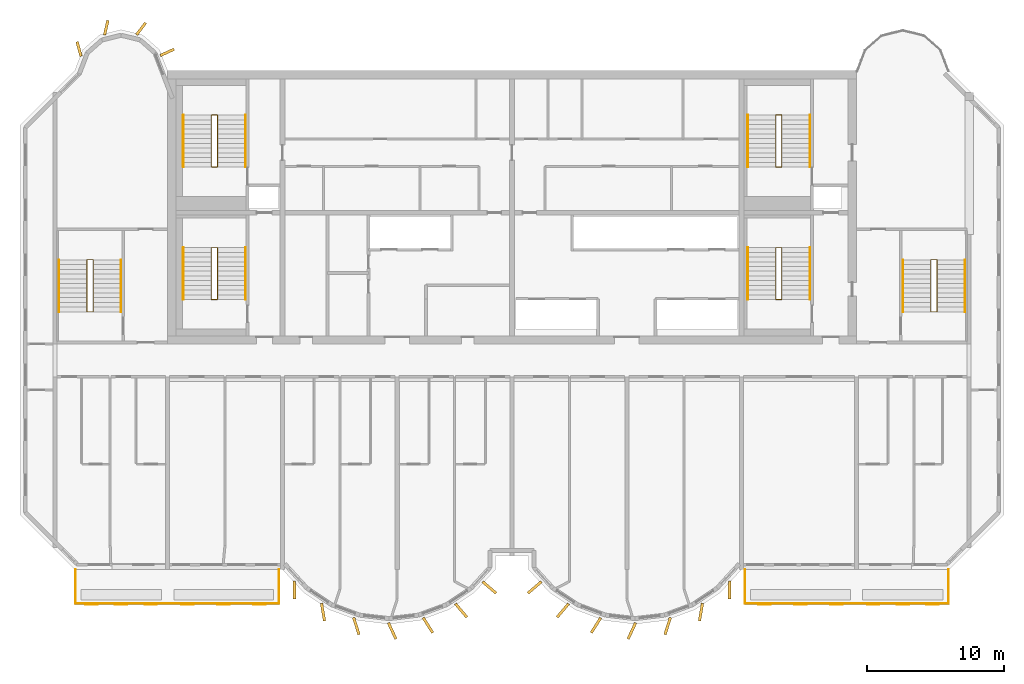
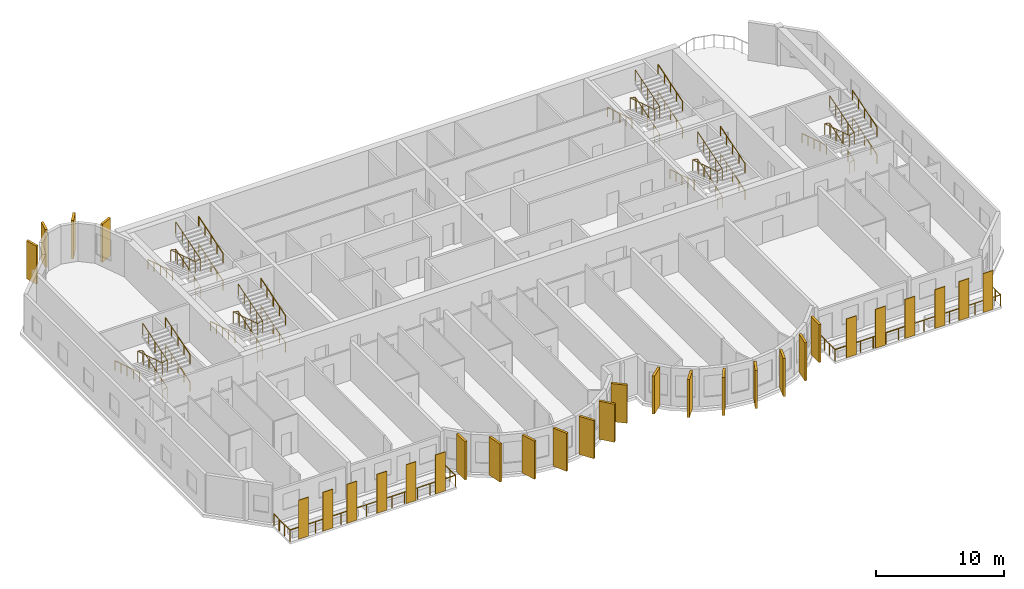
# One storey, part 10 of 12: 30 coverings, 26 railings.
"""IFC4 building model written with IfcOpenShell, lengths in metres."""

import ifcopenshell
import ifcopenshell.guid

model = None  # the IFC model being written
_history = None  # IfcOwnerHistory: only IFC2X3 demands one
_inside = {}  # id of a spatial element -> (the spatial element, [elements in it])
_under = {}  # id of a project, library or spatial element -> (it, [spatial elements below it])
_declared = {}  # id of a project -> (the project, [libraries it declares])
_typed = {}  # id of a type object -> (the type object, [elements of that type])
_made_of = {}  # id of a material, layer set ... -> (it, [elements and type objects made of it])


def new_model(schema):
    """Start an empty IFC model of exactly this schema.

    Asked for "IFC4X3", IfcOpenShell would pick the latest addendum, in which some entities
    have other attributes; the version numbers below select the first issue.
    IFC2X3 requires an IfcOwnerHistory on every rooted entity: one is made here for all.
    """
    global model, _history
    if schema == "IFC4X3":
        model = ifcopenshell.file(schema_version=(4, 3, 0, 0))
    else:
        model = ifcopenshell.file(schema=schema)
    _inside.clear()
    _under.clear()
    _declared.clear()
    _typed.clear()
    _made_of.clear()
    _history = None
    if model.schema == "IFC2X3":
        org = make("IfcOrganization", Name="unknown")
        user = make(
            "IfcPersonAndOrganization",
            ThePerson=make("IfcPerson", FamilyName="unknown"),
            TheOrganization=org,
        )
        app = make(
            "IfcApplication",
            ApplicationDeveloper=org,
            Version="unknown",
            ApplicationFullName="unknown",
            ApplicationIdentifier="unknown",
        )
        _history = make(
            "IfcOwnerHistory",
            OwningUser=user,
            OwningApplication=app,
            ChangeAction="ADDED",
            CreationDate=0,
        )
    return model


def make(cls, **values):
    """One entity of the class cls with the attributes given. An attribute that is None is left unset."""
    return model.create_entity(
        cls, **{name: value for name, value in values.items() if value is not None}
    )


def rooted(cls, **values):
    """An entity with a GlobalId (a new one), such as an element, a storey or a relation."""
    return make(cls, GlobalId=ifcopenshell.guid.new(), OwnerHistory=_history, **values)


def si_unit(unit_type, name, prefix=None):
    """IfcSIUnit, for example si_unit("LENGTHUNIT", "METRE", prefix="MILLI")."""
    return make("IfcSIUnit", UnitType=unit_type, Prefix=prefix, Name=name)


def assignment(units):
    """IfcUnitAssignment: the units of a project."""
    return None if units is None else make("IfcUnitAssignment", Units=units)


def point(xyz):
    """IfcCartesianPoint."""
    return None if xyz is None else make("IfcCartesianPoint", Coordinates=xyz)


def direction(xyz):
    """IfcDirection."""
    return None if xyz is None else make("IfcDirection", DirectionRatios=xyz)


def frame(location, z_axis=None, x_axis=None):
    """IfcAxis2Placement3D, a coordinate frame: its origin and axes. An axis left out is left unset."""
    return make(
        "IfcAxis2Placement3D",
        Location=point(location),
        Axis=direction(z_axis),
        RefDirection=direction(x_axis),
    )


def frame_2d(location, x_axis=None):
    """IfcAxis2Placement2D, a coordinate frame in the plane: its origin and x axis."""
    return make(
        "IfcAxis2Placement2D", Location=point(location), RefDirection=direction(x_axis)
    )


def origin():
    """The frame at (0, 0, 0) with its axes left unset."""
    return frame((0.0, 0.0, 0.0))


def origin_2d():
    """The frame at (0, 0) in the plane with its x axis left unset."""
    return frame_2d((0.0, 0.0))


def place(relative_to, where):
    """IfcLocalPlacement: puts the frame where relative to a parent placement (None: the world)."""
    return make(
        "IfcLocalPlacement", PlacementRelTo=relative_to, RelativePlacement=where
    )


def context(
    kind, dimensions, precision=None, world=None, true_north=None, identifier=None
):
    """IfcGeometricRepresentationContext, for example the 3D "Model" context."""
    return make(
        "IfcGeometricRepresentationContext",
        ContextIdentifier=identifier,
        ContextType=kind,
        CoordinateSpaceDimension=dimensions,
        Precision=precision,
        WorldCoordinateSystem=world,
        TrueNorth=true_north,
    )


def subcontext(parent, identifier, kind, view, scale=None):
    """IfcGeometricRepresentationSubContext, for example "Body" below "Model"."""
    return make(
        "IfcGeometricRepresentationSubContext",
        ContextIdentifier=identifier,
        ContextType=kind,
        ParentContext=parent,
        TargetScale=scale,
        TargetView=view,
    )


def project(units=None, contexts=None):
    """IfcProject with its units and contexts."""
    return rooted(
        "IfcProject",
        Name="project",
        RepresentationContexts=contexts,
        UnitsInContext=assignment(units),
    )


def spatial(cls, under=None, at=None, **own):
    """A site, building, storey or space (cls), placed at a placement, below another one or the project."""
    s = rooted(cls, ObjectPlacement=at, **own)
    if under is not None:
        _under.setdefault(under.id(), (under, []))[1].append(s)
    return s


def profile(cls, at=None, kind="AREA", **sizes):
    """A parametric profile (cls). Its sizes go by their IFC names, for example OverallWidth=200.0."""
    return make(cls, ProfileType=kind, Position=at, **sizes)


def rectangle(**sizes):
    """IfcRectangleProfileDef."""
    return profile("IfcRectangleProfileDef", **sizes)


def circle(**sizes):
    """IfcCircleProfileDef."""
    return profile("IfcCircleProfileDef", **sizes)


def extrude(swept, where, along, depth):
    """IfcExtrudedAreaSolid: the profile swept, set in the frame where, extruded along a direction by depth."""
    return make(
        "IfcExtrudedAreaSolid",
        SweptArea=swept,
        Position=where,
        ExtrudedDirection=direction(along),
        Depth=depth,
    )


def shape(context_of_items, identifier, shape_type, items):
    """IfcShapeRepresentation: the items that make up one representation, for example the "Body"."""
    return make(
        "IfcShapeRepresentation",
        ContextOfItems=context_of_items,
        RepresentationIdentifier=identifier,
        RepresentationType=shape_type,
        Items=items,
    )


def source(mapping_origin, context_of_items, identifier, shape_type, items):
    """IfcRepresentationMap: a shape defined once, which mapped items show again and again."""
    return make(
        "IfcRepresentationMap",
        MappingOrigin=mapping_origin,
        MappedRepresentation=shape(context_of_items, identifier, shape_type, items),
    )


def transform(
    local_origin,
    x_axis=None,
    y_axis=None,
    z_axis=None,
    scale=None,
    scale2=None,
    scale3=None,
    uniform=True,
):
    """IfcCartesianTransformationOperator3D, or its non-uniform kind. x_axis, y_axis, z_axis: its Axis1, 2, 3."""
    if uniform:
        return make(
            "IfcCartesianTransformationOperator3D",
            Axis1=direction(x_axis),
            Axis2=direction(y_axis),
            LocalOrigin=point(local_origin),
            Scale=scale,
            Axis3=direction(z_axis),
        )
    return make(
        "IfcCartesianTransformationOperator3DnonUniform",
        Axis1=direction(x_axis),
        Axis2=direction(y_axis),
        LocalOrigin=point(local_origin),
        Scale=scale,
        Axis3=direction(z_axis),
        Scale2=scale2,
        Scale3=scale3,
    )


def mapped(mapping_source, mapping_target):
    """IfcMappedItem: shows the shape of a source again, moved by a transform."""
    return make(
        "IfcMappedItem", MappingSource=mapping_source, MappingTarget=mapping_target
    )


def material(Name=None, Category=None):
    """IfcMaterial."""
    return make("IfcMaterial", Name=Name, Category=Category)


def layer(
    of_material, thickness, ventilated=None, Name=None, Category=None, Priority=None
):
    """IfcMaterialLayer: one layer of a wall or slab, of a material (None: an air gap)."""
    return make(
        "IfcMaterialLayer",
        Material=of_material,
        LayerThickness=thickness,
        IsVentilated=ventilated,
        Name=Name,
        Category=Category,
        Priority=Priority,
    )


def layer_set(layers, Name=None):
    """IfcMaterialLayerSet."""
    return make("IfcMaterialLayerSet", MaterialLayers=layers, LayerSetName=Name)


def material_profile(
    of_material, cross_section, Name=None, Category=None, Priority=None
):
    """IfcMaterialProfile: a cross section and its material."""
    return make(
        "IfcMaterialProfile",
        Name=Name,
        Material=of_material,
        Profile=cross_section,
        Priority=Priority,
        Category=Category,
    )


def profile_set(profiles, Name=None, composite=None):
    """IfcMaterialProfileSet."""
    return make(
        "IfcMaterialProfileSet",
        Name=Name,
        MaterialProfiles=profiles,
        CompositeProfile=composite,
    )


def made_of(thing, what):
    """Note that an element or type object is made of a material, layer set ...; save() writes the relation."""
    if what is not None:
        _made_of.setdefault(what.id(), (what, []))[1].append(thing)
    return thing


def type_object(cls, material=None, **own):
    """A type object (cls), such as IfcWallType, which elements share."""
    return made_of(rooted(cls, **own), material)


def element(
    cls,
    number,
    at=None,
    inside=None,
    cuts=None,
    type_object=None,
    material=None,
    context=None,
    identifier="Body",
    shape_type=None,
    held_by="IfcProductDefinitionShape",
    body=None,
    shapes=None,
    **own,
):
    """One element of the class cls, such as IfcWall. Its Tag is "e" and its number.

    at: its placement. inside: the storey or other place that contains it. cuts: it is an
    opening in that element (IfcRelVoidsElement). A single representation is given by context,
    identifier, shape_type and body (its items); several are given by shapes. held_by: the class
    of the entity that holds the representations. save() writes the other relations.
    """
    e = rooted(cls, Tag="e%d" % number, ObjectPlacement=at, **own)
    if body is not None:
        shapes = [shape(context, identifier, shape_type, body)]
    if shapes is not None:
        e.Representation = make(held_by, Representations=shapes)
    if inside is not None:
        _inside.setdefault(inside.id(), (inside, []))[1].append(e)
    if cuts is not None:
        rooted(
            "IfcRelVoidsElement", RelatingBuildingElement=cuts, RelatedOpeningElement=e
        )
    if type_object is not None:
        _typed.setdefault(type_object.id(), (type_object, []))[1].append(e)
    return made_of(e, material)


def aggregate(whole, parts):
    """IfcRelAggregates: a whole, such as a stair, and the parts it consists of."""
    return rooted("IfcRelAggregates", RelatingObject=whole, RelatedObjects=parts)


def save(model, path):
    """Write the relations noted so far, then the file.

    IfcRelAggregates (storeys below a building ...), IfcRelContainedInSpatialStructure (elements
    in a storey), IfcRelDefinesByType, IfcRelAssociatesMaterial and IfcRelDeclares: one each for
    every whole, place, type object, material and project.
    """
    for whole, parts in _under.values():
        aggregate(whole, parts)
    for where, things in _inside.values():
        rooted(
            "IfcRelContainedInSpatialStructure",
            RelatedElements=things,
            RelatingStructure=where,
        )
    for kind, things in _typed.values():
        rooted("IfcRelDefinesByType", RelatedObjects=things, RelatingType=kind)
    for what, things in _made_of.values():
        rooted("IfcRelAssociatesMaterial", RelatedObjects=things, RelatingMaterial=what)
    for by, libraries in _declared.values():
        rooted("IfcRelDeclares", RelatingContext=by, RelatedDefinitions=libraries)
    model.write(path)


model = new_model("IFC4")

# Units and contexts
model_context = context("Model", 3, precision=1e-05, world=origin(), true_north=direction((0.0, 1.0)))
body_context = subcontext(model_context, "Body", "Model", "MODEL_VIEW")
ifc_project = project(units=[si_unit("LENGTHUNIT", "METRE"), si_unit("AREAUNIT", "SQUARE_METRE"), si_unit("VOLUMEUNIT", "CUBIC_METRE"), si_unit("PLANEANGLEUNIT", "RADIAN"), si_unit("MASSUNIT", "GRAM", prefix="KILO")], contexts=[model_context])

# Site, building, storey
site_placement = place(None, origin())
site = spatial("IfcSite", under=ifc_project, at=site_placement, CompositionType="ELEMENT")
building_placement = place(site_placement, origin())
building = spatial("IfcBuilding", under=site, at=building_placement, Name="Vanashikhar Sky Hotel", CompositionType="ELEMENT")
storey_placement = place(building_placement, frame((0.0, 0.0, 237.39990234375)))
storey = spatial("IfcBuildingStorey", under=building, at=storey_placement, Name="L57", CompositionType="ELEMENT", Elevation=237.39990234375)

# Railings
ifc_material_1 = material(Name="Stainless steel 316", Category="steel")
railing_type_1 = type_object("IfcRailingType", Name="Balcony guard 1100", PredefinedType="GUARDRAIL", material=ifc_material_1)
shared_shape_1 = source(origin(), body_context, "Body", "SweptSolid", [
    extrude(circle(Radius=0.02392578125, at=origin_2d()), frame((0.0, 0.0, 1.076171875), z_axis=(0.0, -1.0, 0.0), x_axis=(1.0, 0.0, 0.0)), (0.0, 0.0, 1.0), 2.5),
    extrude(circle(Radius=0.02392578125, at=origin_2d()), frame((0.0, -2.5, 1.076171875), z_axis=(1.0, 0.0, 0.0), x_axis=(0.0, 1.0, 0.0)), (0.0, 0.0, 1.0), 14.880126953125),
    extrude(circle(Radius=0.02392578125, at=origin_2d()), frame((14.880126953125, -2.5, 1.076171875), z_axis=(0.0, 1.0, 0.0), x_axis=(-1.0, 0.0, 0.0)), (0.0, 0.0, 1.0), 2.5),
    extrude(circle(Radius=0.02099609375, at=origin_2d()), origin(), (0.0, 0.0, 1.0), 1.052001953125),
    extrude(circle(Radius=0.02099609375, at=origin_2d()), frame((0.0, -0.833251953125, 0.0)), (0.0, 0.0, 1.0), 1.052001953125),
    extrude(circle(Radius=0.02099609375, at=origin_2d()), frame((0.0, -1.666748046875, 0.0)), (0.0, 0.0, 1.0), 1.052001953125),
    extrude(circle(Radius=0.02099609375, at=origin_2d()), frame((0.0, -2.5, 0.0)), (0.0, 0.0, 1.0), 1.052001953125),
    extrude(circle(Radius=0.02099609375, at=origin_2d()), frame((1.14453125, -2.5, 0.0)), (0.0, 0.0, 1.0), 1.052001953125),
    extrude(circle(Radius=0.02099609375, at=origin_2d()), frame((2.289306640625, -2.5, 0.0)), (0.0, 0.0, 1.0), 1.052001953125),
    extrude(circle(Radius=0.02099609375, at=origin_2d()), frame((3.433837890625, -2.5, 0.0)), (0.0, 0.0, 1.0), 1.052001953125),
    extrude(circle(Radius=0.02099609375, at=origin_2d()), frame((4.57861328125, -2.5, 0.0)), (0.0, 0.0, 1.0), 1.052001953125),
    extrude(circle(Radius=0.02099609375, at=origin_2d()), frame((5.72314453125, -2.5, 0.0)), (0.0, 0.0, 1.0), 1.052001953125),
    extrude(circle(Radius=0.02099609375, at=origin_2d()), frame((6.86767578125, -2.5, 0.0)), (0.0, 0.0, 1.0), 1.052001953125),
    extrude(circle(Radius=0.02099609375, at=origin_2d()), frame((8.012451171875, -2.5, 0.0)), (0.0, 0.0, 1.0), 1.052001953125),
    extrude(circle(Radius=0.02099609375, at=origin_2d()), frame((9.156982421875, -2.5, 0.0)), (0.0, 0.0, 1.0), 1.052001953125),
    extrude(circle(Radius=0.02099609375, at=origin_2d()), frame((10.301513671875, -2.5, 0.0)), (0.0, 0.0, 1.0), 1.052001953125),
    extrude(circle(Radius=0.02099609375, at=origin_2d()), frame((11.4462890625, -2.5, 0.0)), (0.0, 0.0, 1.0), 1.052001953125),
    extrude(circle(Radius=0.02099609375, at=origin_2d()), frame((12.5908203125, -2.5, 0.0)), (0.0, 0.0, 1.0), 1.052001953125),
    extrude(circle(Radius=0.02099609375, at=origin_2d()), frame((13.735595703125, -2.5, 0.0)), (0.0, 0.0, 1.0), 1.052001953125),
    extrude(circle(Radius=0.02099609375, at=origin_2d()), frame((14.880126953125, -2.5, 0.0)), (0.0, 0.0, 1.0), 1.052001953125),
    extrude(circle(Radius=0.02099609375, at=origin_2d()), frame((14.880126953125, -1.666748046875, 0.0)), (0.0, 0.0, 1.0), 1.052001953125),
    extrude(circle(Radius=0.02099609375, at=origin_2d()), frame((14.880126953125, -0.833251953125, 0.0)), (0.0, 0.0, 1.0), 1.052001953125),
    extrude(circle(Radius=0.02099609375, at=origin_2d()), frame((14.880126953125, 0.0, 0.0)), (0.0, 0.0, 1.0), 1.052001953125),
])
for number, where, name in (
    (1, (18.4599609375, 5.5, -0.0498046875), "Balcony guard"),
    (2, (67.4599609375, 5.5, -0.0498046875), "Balcony guard"),
):
    element("IfcRailing", number, at=place(storey_placement, frame(where)), inside=storey, type_object=railing_type_1, Name=name, PredefinedType="GUARDRAIL", context=body_context, shape_type="MappedRepresentation", body=[
        mapped(shared_shape_1, transform((0.0, 0.0, 0.0), scale=1.0)),
    ])

# Coverings
ifc_material_2 = material(Name="Terracotta", Category="masonry")
ifc_layer = layer(ifc_material_2, 0.06005859375)
ifc_layer_set = layer_set([ifc_layer], Name="Terracotta baguette screen")
covering_type_1 = type_object("IfcCoveringType", Name="Terracotta baguette screen", PredefinedType="CLADDING", material=ifc_layer_set)
shared_shape_2 = source(origin(), body_context, "Body", "SweptSolid", [
    extrude(rectangle(XDim=0.89990234375, YDim=0.06005859375, at=origin_2d()), origin(), (0.0, 0.0, 1.0), 3.699951171875),
])
for number, where, z_axis, x_axis, name in (
    (3, (19.63330078125, 2.929931640625, -0.0498046875), (0.0, 0.0, 1.0), (1.0, 0.0, 0.0), "Terracotta screen"),
    (4, (21.800048828125, 2.929931640625, -0.0498046875), (0.0, 0.0, 1.0), (1.0, 0.0, 0.0), "Terracotta screen"),
    (5, (23.966796875, 2.929931640625, -0.0498046875), (0.0, 0.0, 1.0), (1.0, 0.0, 0.0), "Terracotta screen"),
    (6, (26.666748046875, 2.929931640625, -0.0498046875), (0.0, 0.0, 1.0), (1.0, 0.0, 0.0), "Terracotta screen"),
    (7, (29.300048828125, 2.929931640625, -0.0498046875), (0.0, 0.0, 1.0), (1.0, 0.0, 0.0), "Terracotta screen"),
    (8, (31.933349609375, 2.929931640625, -0.0498046875), (0.0, 0.0, 1.0), (1.0, 0.0, 0.0), "Terracotta screen"),
    (9, (68.86669921875, 2.929931640625, -0.0498046875), (0.0, 0.0, 1.0), (1.0, 0.0, 0.0), "Terracotta screen"),
    (10, (71.5, 2.929931640625, -0.0498046875), (0.0, 0.0, 1.0), (1.0, 0.0, 0.0), "Terracotta screen"),
    (11, (74.13330078125, 2.929931640625, -0.0498046875), (0.0, 0.0, 1.0), (1.0, 0.0, 0.0), "Terracotta screen"),
    (12, (76.833251953125, 2.929931640625, -0.0498046875), (0.0, 0.0, 1.0), (1.0, 0.0, 0.0), "Terracotta screen"),
    (13, (79.0, 2.929931640625, -0.0498046875), (0.0, 0.0, 1.0), (1.0, 0.0, 0.0), "Terracotta screen"),
    (14, (81.166748046875, 2.929931640625, -0.0498046875), (0.0, 0.0, 1.0), (1.0, 0.0, 0.0), "Terracotta screen"),
):
    element("IfcCovering", number, at=place(storey_placement, frame(where, z_axis=z_axis, x_axis=x_axis)), inside=storey, type_object=covering_type_1, Name=name, PredefinedType="CLADDING", context=body_context, shape_type="MappedRepresentation", body=[
        mapped(shared_shape_2, transform((0.0, 0.0, 0.0), scale=1.0)),
    ])
ifc_material_3 = material(Name="Concrete M60 dark", Category="concrete")
ifc_material_profile_1 = material_profile(ifc_material_3, rectangle(XDim=1.300048828125, YDim=0.199951171875, at=origin_2d()))
ifc_profile_set_1 = profile_set([ifc_material_profile_1], Name="Fin 1300 x 200")
covering_type_2 = type_object("IfcCoveringType", Name="Fin 1300 x 200", PredefinedType="CLADDING", material=ifc_profile_set_1)
shared_shape_3 = source(origin(), body_context, "Body", "SweptSolid", [
    extrude(rectangle(XDim=1.300048828125, YDim=0.199951171875, at=origin_2d()), origin(), (0.0, 0.0, 1.0), 3.6201171875),
])
for number, where, z_axis, x_axis, name in (
    (15, (34.482421875, 3.992919921875, 0.0), (0.0, 0.0, 1.0), (0.011588726826, -0.999932848451, 0.0), "Fin F1-1"),
    (16, (36.572509765625, 2.3779296875, 0.0), (0.0, 0.0, 1.0), (0.16989991575, -0.985461322746, 0.0), "Fin F1-2"),
    (17, (39.00830078125, 1.35693359375, 0.0), (0.0, 0.0, 1.0), (0.303966551867, -0.952682704444, 0.0), "Fin F1-3"),
    (18, (41.63232421875, 1.00146484375, 0.0), (0.0, 0.0, 1.0), (0.422618261741, -0.906307787037, 0.0), "Fin F1-4"),
    (19, (44.251953125, 1.416015625, 0.0), (0.0, 0.0, 1.0), (0.534411358496, -0.845224526331, 0.0), "Fin F1-5"),
    (20, (46.676025390625, 2.5, 0.0), (0.0, 0.0, 1.0), (0.645697609467, -0.763593214433, 0.0), "Fin F1-6"),
    (21, (48.7412109375, 4.1845703125, 0.0), (0.0, 0.0, 1.0), (0.758543912032, -0.65162192529, 0.0), "Fin F1-7"),
    (22, (52.058837890625, 4.1845703125, 0.0), (0.0, 0.0, 1.0), (-0.758543912032, -0.65162192529, 0.0), "Fin F2-1"),
    (23, (54.123779296875, 2.5, 0.0), (0.0, 0.0, 1.0), (-0.645697609467, -0.763593214433, 0.0), "Fin F2-2"),
    (24, (56.547119140625, 1.416015625, 0.0), (0.0, 0.0, 1.0), (-0.534411358496, -0.845224526331, 0.0), "Fin F2-3"),
    (25, (59.16748046875, 1.00146484375, 0.0), (0.0, 0.0, 1.0), (-0.422618261741, -0.906307787037, 0.0), "Fin F2-4"),
    (26, (61.790771484375, 1.35693359375, 0.0), (0.0, 0.0, 1.0), (-0.303966551867, -0.952682704444, 0.0), "Fin F2-5"),
    (27, (64.2275390625, 2.3779296875, 0.0), (0.0, 0.0, 1.0), (-0.16989991575, -0.985461322746, 0.0), "Fin F2-6"),
    (28, (66.317626953125, 3.992919921875, 0.0), (0.0, 0.0, 1.0), (-0.011588726826, -0.999932848451, 0.0), "Fin F2-7"),
):
    element("IfcCovering", number, at=place(storey_placement, frame(where, z_axis=z_axis, x_axis=x_axis)), inside=storey, type_object=covering_type_2, Name=name, PredefinedType="CLADDING", context=body_context, shape_type="MappedRepresentation", body=[
        mapped(shared_shape_3, transform((0.0, 0.0, 0.0), scale=1.0)),
    ])
ifc_material_profile_2 = material_profile(ifc_material_3, rectangle(XDim=1.10009765625, YDim=0.199951171875, at=origin_2d()))
ifc_profile_set_2 = profile_set([ifc_material_profile_2], Name="Rear lobe fin 1100 x 200")
covering_type_3 = type_object("IfcCoveringType", Name="Rear lobe fin 1100 x 200", PredefinedType="CLADDING", material=ifc_profile_set_2)
shared_shape_4 = source(origin(), body_context, "Body", "SweptSolid", [
    extrude(rectangle(XDim=1.10009765625, YDim=0.199951171875, at=origin_2d()), origin(), (0.0, 0.0, 1.0), 3.6201171875),
])
for number, where, z_axis, x_axis, name in (
    (29, (18.720703125, 43.580078125, 0.0), (0.0, 0.0, 1.0), (-0.262711264409, 0.964874495234, 0.0), "Fin R1-1"),
    (30, (20.710205078125, 45.1455078125, 0.0), (0.0, 0.0, 1.0), (0.224644935864, 0.974440687159, 0.0), "Fin R1-2"),
    (31, (23.261962890625, 45.06640625, 0.0), (0.0, 0.0, 1.0), (0.602065892195, 0.798446404874, 0.0), "Fin R1-3"),
    (32, (25.169677734375, 43.33447265625, 0.0), (0.0, 0.0, 1.0), (0.908004291068, 0.418960866193, 0.0), "Fin R1-4"),
):
    element("IfcCovering", number, at=place(storey_placement, frame(where, z_axis=z_axis, x_axis=x_axis)), inside=storey, type_object=covering_type_3, Name=name, PredefinedType="CLADDING", context=body_context, shape_type="MappedRepresentation", body=[
        mapped(shared_shape_4, transform((0.0, 0.0, 0.0), scale=1.0)),
    ])

# Railings
ifc_material_4 = material(Name="Steel S355", Category="steel")
railing_type_2 = type_object("IfcRailingType", Name="Stair handrail 900", PredefinedType="HANDRAIL", material=ifc_material_4)
shared_shape_5 = source(origin(), body_context, "Body", "SweptSolid", [
    extrude(circle(Radius=0.02392578125, at=origin_2d()), frame((0.0, 0.0, 0.8759765625), z_axis=(0.0, 0.95418390146, 0.299220791714), x_axis=(-1.0, 0.0, 0.0)), (0.0, 0.0, 1.0), 3.982421875),
    extrude(circle(Radius=0.02099609375, at=origin_2d()), origin(), (0.0, 0.0, 1.0), 0.851806640625),
    extrude(circle(Radius=0.02099609375, at=origin_2d()), frame((0.0, 0.949951171875, 0.2978515625)), (0.0, 0.0, 1.0), 0.851806640625),
    extrude(circle(Radius=0.02099609375, at=origin_2d()), frame((0.0, 1.89990234375, 0.595703125)), (0.0, 0.0, 1.0), 0.851806640625),
    extrude(circle(Radius=0.02099609375, at=origin_2d()), frame((0.0, 2.85009765625, 0.893798828125)), (0.0, 0.0, 1.0), 0.851806640625),
    extrude(circle(Radius=0.02099609375, at=origin_2d()), frame((0.0, 3.800048828125, 1.191650390625)), (0.0, 0.0, 1.0), 0.851806640625),
])
for number, where, name in (
    (33, (30.89990234375, 25.25, 0.1083984375), "Exit stair 1 handrail"),
    (34, (30.89990234375, 25.25, 2.70849609375), "Exit stair 1 handrail"),
    (35, (72.199951171875, 25.25, 0.1083984375), "Exit stair 2 handrail"),
    (36, (72.199951171875, 25.25, 2.70849609375), "Exit stair 2 handrail"),
    (37, (30.89990234375, 34.949951171875, 0.1083984375), "Exit stair 5 handrail"),
    (38, (30.89990234375, 34.949951171875, 2.70849609375), "Exit stair 5 handrail"),
    (39, (72.199951171875, 34.949951171875, 0.1083984375), "Exit stair 6 handrail"),
    (40, (72.199951171875, 34.949951171875, 2.70849609375), "Exit stair 6 handrail"),
):
    element("IfcRailing", number, at=place(storey_placement, frame(where)), inside=storey, type_object=railing_type_2, Name=name, PredefinedType="HANDRAIL", context=body_context, shape_type="MappedRepresentation", body=[
        mapped(shared_shape_5, transform((0.0, 0.0, 0.0), scale=1.0)),
    ])
shared_shape_6 = source(origin(), body_context, "Body", "SweptSolid", [
    extrude(circle(Radius=0.02392578125, at=origin_2d()), frame((0.0, 0.0, 0.8759765625), z_axis=(0.0, -0.95418390146, 0.299220791714), x_axis=(1.0, 0.0, 0.0)), (0.0, 0.0, 1.0), 3.982421875),
    extrude(circle(Radius=0.02099609375, at=origin_2d()), origin(), (0.0, 0.0, 1.0), 0.851806640625),
    extrude(circle(Radius=0.02099609375, at=origin_2d()), frame((0.0, -0.949951171875, 0.2978515625)), (0.0, 0.0, 1.0), 0.851806640625),
    extrude(circle(Radius=0.02099609375, at=origin_2d()), frame((0.0, -1.89990234375, 0.595703125)), (0.0, 0.0, 1.0), 0.851806640625),
    extrude(circle(Radius=0.02099609375, at=origin_2d()), frame((0.0, -2.85009765625, 0.893798828125)), (0.0, 0.0, 1.0), 0.851806640625),
    extrude(circle(Radius=0.02099609375, at=origin_2d()), frame((0.0, -3.800048828125, 1.191650390625)), (0.0, 0.0, 1.0), 0.851806640625),
])
for number, where, name in (
    (41, (26.35009765625, 29.050048828125, 1.408447265625), "Exit stair 1 handrail"),
    (42, (67.64990234375, 29.050048828125, 1.408447265625), "Exit stair 2 handrail"),
    (43, (26.35009765625, 38.75, 1.408447265625), "Exit stair 5 handrail"),
    (44, (67.64990234375, 38.75, 1.408447265625), "Exit stair 6 handrail"),
):
    element("IfcRailing", number, at=place(storey_placement, frame(where)), inside=storey, type_object=railing_type_2, Name=name, PredefinedType="HANDRAIL", context=body_context, shape_type="MappedRepresentation", body=[
        mapped(shared_shape_6, transform((0.0, 0.0, 0.0), scale=1.0)),
    ])
railing_type_3 = type_object("IfcRailingType", Name="Stair guard 1100", PredefinedType="GUARDRAIL", material=ifc_material_4)
shared_shape_7 = source(origin(), body_context, "Body", "SweptSolid", [
    extrude(circle(Radius=0.02392578125, at=origin_2d()), frame((0.0, 0.0, 1.076171875), z_axis=(0.972214749574, 0.0, 0.234090753151), x_axis=(0.0, 1.0, 0.0)), (0.0, 0.0, 1.0), 0.463134765625),
    extrude(circle(Radius=0.02392578125, at=origin_2d()), frame((0.4501953125, 0.0, 1.1845703125), z_axis=(0.0, 0.95418390146, 0.299220791714), x_axis=(-1.0, 0.0, 0.0)), (0.0, 0.0, 1.0), 3.982421875),
    extrude(circle(Radius=0.02392578125, at=origin_2d()), frame((0.4501953125, 3.800048828125, 2.3759765625), z_axis=(-0.972214749574, 0.0, 0.234090753151), x_axis=(0.0, -1.0, 0.0)), (0.0, 0.0, 1.0), 0.463134765625),
    extrude(circle(Radius=0.02392578125, at=origin_2d()), frame((0.0, 3.800048828125, 2.484375), z_axis=(0.0, -0.95418390146, 0.299220791714), x_axis=(1.0, 0.0, 0.0)), (0.0, 0.0, 1.0), 3.982421875),
    extrude(circle(Radius=0.02392578125, at=origin_2d()), frame((0.0, 0.0, 3.67626953125), z_axis=(0.972214749574, 0.0, 0.234090753151), x_axis=(0.0, 1.0, 0.0)), (0.0, 0.0, 1.0), 0.463134765625),
    extrude(circle(Radius=0.02392578125, at=origin_2d()), frame((0.4501953125, 0.0, 3.78466796875), z_axis=(0.0, 0.95418390146, 0.299220791714), x_axis=(-1.0, 0.0, 0.0)), (0.0, 0.0, 1.0), 3.982421875),
    extrude(circle(Radius=0.02099609375, at=origin_2d()), origin(), (0.0, 0.0, 1.0), 1.052001953125),
    extrude(circle(Radius=0.02099609375, at=origin_2d()), frame((0.4501953125, 0.0, 0.1083984375)), (0.0, 0.0, 1.0), 1.052001953125),
    extrude(circle(Radius=0.02099609375, at=origin_2d()), frame((0.4501953125, 0.949951171875, 0.40625)), (0.0, 0.0, 1.0), 1.052001953125),
    extrude(circle(Radius=0.02099609375, at=origin_2d()), frame((0.4501953125, 1.89990234375, 0.7041015625)), (0.0, 0.0, 1.0), 1.052001953125),
    extrude(circle(Radius=0.02099609375, at=origin_2d()), frame((0.4501953125, 2.85009765625, 1.002197265625)), (0.0, 0.0, 1.0), 1.052001953125),
    extrude(circle(Radius=0.02099609375, at=origin_2d()), frame((0.4501953125, 3.800048828125, 1.300048828125)), (0.0, 0.0, 1.0), 1.052001953125),
    extrude(circle(Radius=0.02099609375, at=origin_2d()), frame((0.0, 3.800048828125, 1.408447265625)), (0.0, 0.0, 1.0), 1.052001953125),
    extrude(circle(Radius=0.02099609375, at=origin_2d()), frame((0.0, 2.85009765625, 1.706298828125)), (0.0, 0.0, 1.0), 1.052001953125),
    extrude(circle(Radius=0.02099609375, at=origin_2d()), frame((0.0, 1.89990234375, 2.00439453125)), (0.0, 0.0, 1.0), 1.052001953125),
    extrude(circle(Radius=0.02099609375, at=origin_2d()), frame((0.0, 0.949951171875, 2.30224609375)), (0.0, 0.0, 1.0), 1.052001953125),
    extrude(circle(Radius=0.02099609375, at=origin_2d()), frame((0.0, 0.0, 2.60009765625)), (0.0, 0.0, 1.0), 1.052001953125),
    extrude(circle(Radius=0.02099609375, at=origin_2d()), frame((0.4501953125, 0.0, 2.70849609375)), (0.0, 0.0, 1.0), 1.052001953125),
    extrude(circle(Radius=0.02099609375, at=origin_2d()), frame((0.4501953125, 0.949951171875, 3.00634765625)), (0.0, 0.0, 1.0), 1.052001953125),
    extrude(circle(Radius=0.02099609375, at=origin_2d()), frame((0.4501953125, 1.89990234375, 3.30419921875)), (0.0, 0.0, 1.0), 1.052001953125),
    extrude(circle(Radius=0.02099609375, at=origin_2d()), frame((0.4501953125, 2.85009765625, 3.602294921875)), (0.0, 0.0, 1.0), 1.052001953125),
    extrude(circle(Radius=0.02099609375, at=origin_2d()), frame((0.4501953125, 3.800048828125, 3.900146484375)), (0.0, 0.0, 1.0), 1.052001953125),
])
for number, where, name in (
    (45, (28.39990234375, 25.25, 0.0), "Exit stair 1 guard"),
    (46, (28.39990234375, 34.949951171875, 0.0), "Exit stair 5 guard"),
):
    element("IfcRailing", number, at=place(storey_placement, frame(where)), inside=storey, type_object=railing_type_3, Name=name, PredefinedType="GUARDRAIL", context=body_context, shape_type="MappedRepresentation", body=[
        mapped(shared_shape_7, transform((0.0, 0.0, 0.0), scale=1.0)),
    ])
shared_shape_8 = source(origin(), body_context, "Body", "SweptSolid", [
    extrude(circle(Radius=0.02392578125, at=origin_2d()), frame((0.0, 0.0, 1.076171875), z_axis=(0.972185835864, 0.0, 0.234210803648), x_axis=(0.0, 1.0, 0.0)), (0.0, 0.0, 1.0), 0.462890625),
    extrude(circle(Radius=0.02392578125, at=origin_2d()), frame((0.449951171875, 0.0, 1.1845703125), z_axis=(0.0, 0.95418390146, 0.299220791714), x_axis=(-1.0, 0.0, 0.0)), (0.0, 0.0, 1.0), 3.982421875),
    extrude(circle(Radius=0.02392578125, at=origin_2d()), frame((0.449951171875, 3.800048828125, 2.3759765625), z_axis=(-0.972185835864, 0.0, 0.234210803648), x_axis=(0.0, -1.0, 0.0)), (0.0, 0.0, 1.0), 0.462890625),
    extrude(circle(Radius=0.02392578125, at=origin_2d()), frame((0.0, 3.800048828125, 2.484375), z_axis=(0.0, -0.95418390146, 0.299220791714), x_axis=(1.0, 0.0, 0.0)), (0.0, 0.0, 1.0), 3.982421875),
    extrude(circle(Radius=0.02392578125, at=origin_2d()), frame((0.0, 0.0, 3.67626953125), z_axis=(0.972185835864, 0.0, 0.234210803648), x_axis=(0.0, 1.0, 0.0)), (0.0, 0.0, 1.0), 0.462890625),
    extrude(circle(Radius=0.02392578125, at=origin_2d()), frame((0.449951171875, 0.0, 3.78466796875), z_axis=(0.0, 0.95418390146, 0.299220791714), x_axis=(-1.0, 0.0, 0.0)), (0.0, 0.0, 1.0), 3.982421875),
    extrude(circle(Radius=0.02099609375, at=origin_2d()), origin(), (0.0, 0.0, 1.0), 1.052001953125),
    extrude(circle(Radius=0.02099609375, at=origin_2d()), frame((0.449951171875, 0.0, 0.1083984375)), (0.0, 0.0, 1.0), 1.052001953125),
    extrude(circle(Radius=0.02099609375, at=origin_2d()), frame((0.449951171875, 0.949951171875, 0.40625)), (0.0, 0.0, 1.0), 1.052001953125),
    extrude(circle(Radius=0.02099609375, at=origin_2d()), frame((0.449951171875, 1.89990234375, 0.7041015625)), (0.0, 0.0, 1.0), 1.052001953125),
    extrude(circle(Radius=0.02099609375, at=origin_2d()), frame((0.449951171875, 2.85009765625, 1.002197265625)), (0.0, 0.0, 1.0), 1.052001953125),
    extrude(circle(Radius=0.02099609375, at=origin_2d()), frame((0.449951171875, 3.800048828125, 1.300048828125)), (0.0, 0.0, 1.0), 1.052001953125),
    extrude(circle(Radius=0.02099609375, at=origin_2d()), frame((0.0, 3.800048828125, 1.408447265625)), (0.0, 0.0, 1.0), 1.052001953125),
    extrude(circle(Radius=0.02099609375, at=origin_2d()), frame((0.0, 2.85009765625, 1.706298828125)), (0.0, 0.0, 1.0), 1.052001953125),
    extrude(circle(Radius=0.02099609375, at=origin_2d()), frame((0.0, 1.89990234375, 2.00439453125)), (0.0, 0.0, 1.0), 1.052001953125),
    extrude(circle(Radius=0.02099609375, at=origin_2d()), frame((0.0, 0.949951171875, 2.30224609375)), (0.0, 0.0, 1.0), 1.052001953125),
    extrude(circle(Radius=0.02099609375, at=origin_2d()), frame((0.0, 0.0, 2.60009765625)), (0.0, 0.0, 1.0), 1.052001953125),
    extrude(circle(Radius=0.02099609375, at=origin_2d()), frame((0.449951171875, 0.0, 2.70849609375)), (0.0, 0.0, 1.0), 1.052001953125),
    extrude(circle(Radius=0.02099609375, at=origin_2d()), frame((0.449951171875, 0.949951171875, 3.00634765625)), (0.0, 0.0, 1.0), 1.052001953125),
    extrude(circle(Radius=0.02099609375, at=origin_2d()), frame((0.449951171875, 1.89990234375, 3.30419921875)), (0.0, 0.0, 1.0), 1.052001953125),
    extrude(circle(Radius=0.02099609375, at=origin_2d()), frame((0.449951171875, 2.85009765625, 3.602294921875)), (0.0, 0.0, 1.0), 1.052001953125),
    extrude(circle(Radius=0.02099609375, at=origin_2d()), frame((0.449951171875, 3.800048828125, 3.900146484375)), (0.0, 0.0, 1.0), 1.052001953125),
])
for number, where, name in (
    (47, (69.699951171875, 25.25, 0.0), "Exit stair 2 guard"),
    (48, (69.699951171875, 34.949951171875, 0.0), "Exit stair 6 guard"),
):
    element("IfcRailing", number, at=place(storey_placement, frame(where)), inside=storey, type_object=railing_type_3, Name=name, PredefinedType="GUARDRAIL", context=body_context, shape_type="MappedRepresentation", body=[
        mapped(shared_shape_8, transform((0.0, 0.0, 0.0), scale=1.0)),
    ])
shared_shape_9 = source(origin(), body_context, "Body", "SweptSolid", [
    extrude(circle(Radius=0.02392578125, at=origin_2d()), frame((0.0, 0.0, 0.8759765625), z_axis=(0.0, 0.954178412317, 0.299238295459), x_axis=(-1.0, 0.0, 0.0)), (0.0, 0.0, 1.0), 3.982177734375),
    extrude(circle(Radius=0.02099609375, at=origin_2d()), origin(), (0.0, 0.0, 1.0), 0.851806640625),
    extrude(circle(Radius=0.02099609375, at=origin_2d()), frame((0.0, 0.949951171875, 0.2978515625)), (0.0, 0.0, 1.0), 0.851806640625),
    extrude(circle(Radius=0.02099609375, at=origin_2d()), frame((0.0, 1.89990234375, 0.595703125)), (0.0, 0.0, 1.0), 0.851806640625),
    extrude(circle(Radius=0.02099609375, at=origin_2d()), frame((0.0, 2.849853515625, 0.893798828125)), (0.0, 0.0, 1.0), 0.851806640625),
    extrude(circle(Radius=0.02099609375, at=origin_2d()), frame((0.0, 3.7998046875, 1.191650390625)), (0.0, 0.0, 1.0), 0.851806640625),
])
for number, where, name in (
    (49, (21.800048828125, 24.35009765625, 0.1083984375), "Exit stair 3 handrail"),
    (50, (21.800048828125, 24.35009765625, 2.70849609375), "Exit stair 3 handrail"),
    (51, (83.550048828125, 24.35009765625, 0.1083984375), "Exit stair 4 handrail"),
    (52, (83.550048828125, 24.35009765625, 2.70849609375), "Exit stair 4 handrail"),
):
    element("IfcRailing", number, at=place(storey_placement, frame(where)), inside=storey, type_object=railing_type_2, Name=name, PredefinedType="HANDRAIL", context=body_context, shape_type="MappedRepresentation", body=[
        mapped(shared_shape_9, transform((0.0, 0.0, 0.0), scale=1.0)),
    ])
shared_shape_10 = source(origin(), body_context, "Body", "SweptSolid", [
    extrude(circle(Radius=0.02392578125, at=origin_2d()), frame((0.0, 0.0, 0.8759765625), z_axis=(0.0, -0.954178412317, 0.299238295459), x_axis=(1.0, 0.0, 0.0)), (0.0, 0.0, 1.0), 3.982177734375),
    extrude(circle(Radius=0.02099609375, at=origin_2d()), origin(), (0.0, 0.0, 1.0), 0.851806640625),
    extrude(circle(Radius=0.02099609375, at=origin_2d()), frame((0.0, -0.949951171875, 0.2978515625)), (0.0, 0.0, 1.0), 0.851806640625),
    extrude(circle(Radius=0.02099609375, at=origin_2d()), frame((0.0, -1.89990234375, 0.595703125)), (0.0, 0.0, 1.0), 0.851806640625),
    extrude(circle(Radius=0.02099609375, at=origin_2d()), frame((0.0, -2.849853515625, 0.893798828125)), (0.0, 0.0, 1.0), 0.851806640625),
    extrude(circle(Radius=0.02099609375, at=origin_2d()), frame((0.0, -3.7998046875, 1.191650390625)), (0.0, 0.0, 1.0), 0.851806640625),
])
for number, where, name in (
    (53, (17.25, 28.14990234375, 1.408447265625), "Exit stair 3 handrail"),
    (54, (79.0, 28.14990234375, 1.408447265625), "Exit stair 4 handrail"),
):
    element("IfcRailing", number, at=place(storey_placement, frame(where)), inside=storey, type_object=railing_type_2, Name=name, PredefinedType="HANDRAIL", context=body_context, shape_type="MappedRepresentation", body=[
        mapped(shared_shape_10, transform((0.0, 0.0, 0.0), scale=1.0)),
    ])
shared_shape_11 = source(origin(), body_context, "Body", "SweptSolid", [
    extrude(circle(Radius=0.02392578125, at=origin_2d()), frame((0.0, 0.0, 1.076171875), z_axis=(0.972185835864, 0.0, 0.234210803648), x_axis=(0.0, 1.0, 0.0)), (0.0, 0.0, 1.0), 0.462890625),
    extrude(circle(Radius=0.02392578125, at=origin_2d()), frame((0.449951171875, 0.0, 1.1845703125), z_axis=(0.0, 0.954178412317, 0.299238295459), x_axis=(-1.0, 0.0, 0.0)), (0.0, 0.0, 1.0), 3.982177734375),
    extrude(circle(Radius=0.02392578125, at=origin_2d()), frame((0.449951171875, 3.7998046875, 2.3759765625), z_axis=(-0.972185835864, 0.0, 0.234210803648), x_axis=(0.0, -1.0, 0.0)), (0.0, 0.0, 1.0), 0.462890625),
    extrude(circle(Radius=0.02392578125, at=origin_2d()), frame((0.0, 3.7998046875, 2.484375), z_axis=(0.0, -0.954178412317, 0.299238295459), x_axis=(1.0, 0.0, 0.0)), (0.0, 0.0, 1.0), 3.982177734375),
    extrude(circle(Radius=0.02392578125, at=origin_2d()), frame((0.0, 0.0, 3.67626953125), z_axis=(0.972185835864, 0.0, 0.234210803648), x_axis=(0.0, 1.0, 0.0)), (0.0, 0.0, 1.0), 0.462890625),
    extrude(circle(Radius=0.02392578125, at=origin_2d()), frame((0.449951171875, 0.0, 3.78466796875), z_axis=(0.0, 0.954178412317, 0.299238295459), x_axis=(-1.0, 0.0, 0.0)), (0.0, 0.0, 1.0), 3.982177734375),
    extrude(circle(Radius=0.02099609375, at=origin_2d()), origin(), (0.0, 0.0, 1.0), 1.052001953125),
    extrude(circle(Radius=0.02099609375, at=origin_2d()), frame((0.449951171875, 0.0, 0.1083984375)), (0.0, 0.0, 1.0), 1.052001953125),
    extrude(circle(Radius=0.02099609375, at=origin_2d()), frame((0.449951171875, 0.949951171875, 0.40625)), (0.0, 0.0, 1.0), 1.052001953125),
    extrude(circle(Radius=0.02099609375, at=origin_2d()), frame((0.449951171875, 1.89990234375, 0.7041015625)), (0.0, 0.0, 1.0), 1.052001953125),
    extrude(circle(Radius=0.02099609375, at=origin_2d()), frame((0.449951171875, 2.849853515625, 1.002197265625)), (0.0, 0.0, 1.0), 1.052001953125),
    extrude(circle(Radius=0.02099609375, at=origin_2d()), frame((0.449951171875, 3.7998046875, 1.300048828125)), (0.0, 0.0, 1.0), 1.052001953125),
    extrude(circle(Radius=0.02099609375, at=origin_2d()), frame((0.0, 3.7998046875, 1.408447265625)), (0.0, 0.0, 1.0), 1.052001953125),
    extrude(circle(Radius=0.02099609375, at=origin_2d()), frame((0.0, 2.849853515625, 1.706298828125)), (0.0, 0.0, 1.0), 1.052001953125),
    extrude(circle(Radius=0.02099609375, at=origin_2d()), frame((0.0, 1.89990234375, 2.00439453125)), (0.0, 0.0, 1.0), 1.052001953125),
    extrude(circle(Radius=0.02099609375, at=origin_2d()), frame((0.0, 0.949951171875, 2.30224609375)), (0.0, 0.0, 1.0), 1.052001953125),
    extrude(circle(Radius=0.02099609375, at=origin_2d()), frame((0.0, 0.0, 2.60009765625)), (0.0, 0.0, 1.0), 1.052001953125),
    extrude(circle(Radius=0.02099609375, at=origin_2d()), frame((0.449951171875, 0.0, 2.70849609375)), (0.0, 0.0, 1.0), 1.052001953125),
    extrude(circle(Radius=0.02099609375, at=origin_2d()), frame((0.449951171875, 0.949951171875, 3.00634765625)), (0.0, 0.0, 1.0), 1.052001953125),
    extrude(circle(Radius=0.02099609375, at=origin_2d()), frame((0.449951171875, 1.89990234375, 3.30419921875)), (0.0, 0.0, 1.0), 1.052001953125),
    extrude(circle(Radius=0.02099609375, at=origin_2d()), frame((0.449951171875, 2.849853515625, 3.602294921875)), (0.0, 0.0, 1.0), 1.052001953125),
    extrude(circle(Radius=0.02099609375, at=origin_2d()), frame((0.449951171875, 3.7998046875, 3.900146484375)), (0.0, 0.0, 1.0), 1.052001953125),
])
for number, where, name in (
    (55, (19.300048828125, 24.35009765625, 0.0), "Exit stair 3 guard"),
    (56, (81.050048828125, 24.35009765625, 0.0), "Exit stair 4 guard"),
):
    element("IfcRailing", number, at=place(storey_placement, frame(where)), inside=storey, type_object=railing_type_3, Name=name, PredefinedType="GUARDRAIL", context=body_context, shape_type="MappedRepresentation", body=[
        mapped(shared_shape_11, transform((0.0, 0.0, 0.0), scale=1.0)),
    ])

save(model, "model.ifc")
